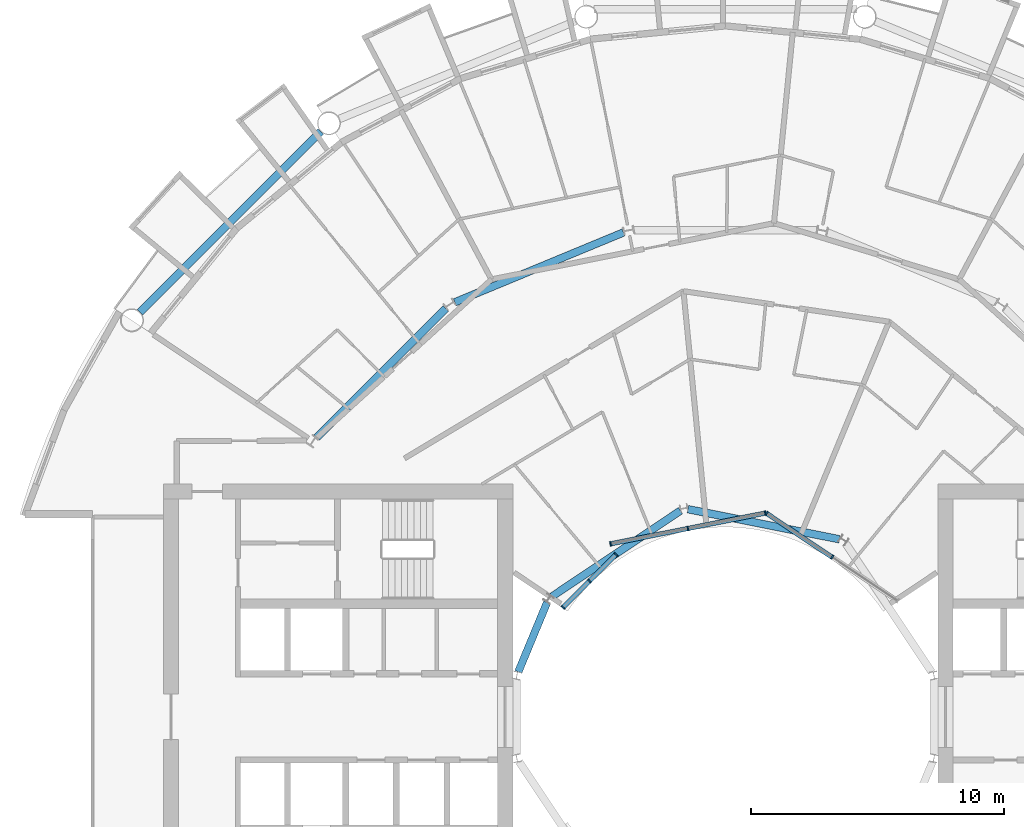
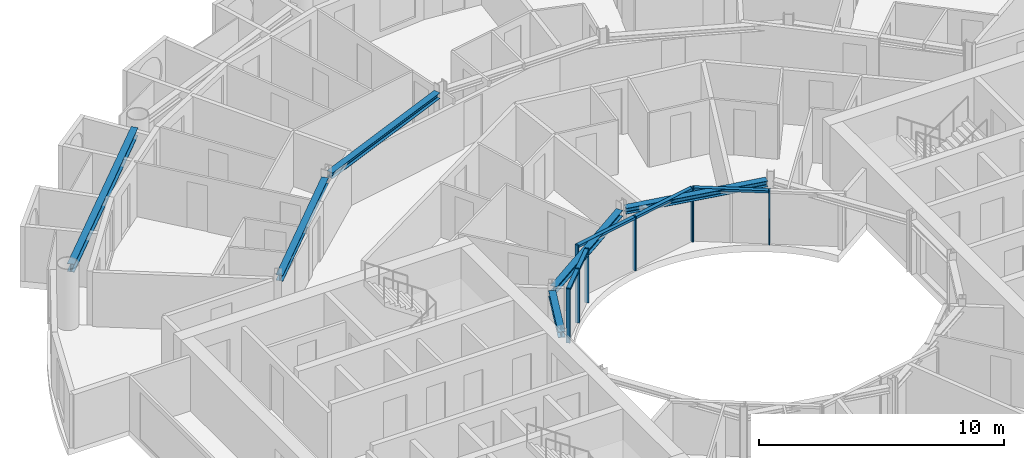
# One storey, part 8 of 28: 13 members, 6 beams, 3 elements without a shape of their own.
"""IFC4 building model written with IfcOpenShell, lengths in metres."""

import ifcopenshell
import ifcopenshell.guid

model = None  # the IFC model being written
_history = None  # IfcOwnerHistory: only IFC2X3 demands one
_inside = {}  # id of a spatial element -> (the spatial element, [elements in it])
_under = {}  # id of a project, library or spatial element -> (it, [spatial elements below it])
_declared = {}  # id of a project -> (the project, [libraries it declares])
_typed = {}  # id of a type object -> (the type object, [elements of that type])
_made_of = {}  # id of a material, layer set ... -> (it, [elements and type objects made of it])


def new_model(schema):
    """Start an empty IFC model of exactly this schema.

    Asked for "IFC4X3", IfcOpenShell would pick the latest addendum, in which some entities
    have other attributes; the version numbers below select the first issue.
    IFC2X3 requires an IfcOwnerHistory on every rooted entity: one is made here for all.
    """
    global model, _history
    if schema == "IFC4X3":
        model = ifcopenshell.file(schema_version=(4, 3, 0, 0))
    else:
        model = ifcopenshell.file(schema=schema)
    _inside.clear()
    _under.clear()
    _declared.clear()
    _typed.clear()
    _made_of.clear()
    _history = None
    if model.schema == "IFC2X3":
        org = make("IfcOrganization", Name="unknown")
        user = make(
            "IfcPersonAndOrganization",
            ThePerson=make("IfcPerson", FamilyName="unknown"),
            TheOrganization=org,
        )
        app = make(
            "IfcApplication",
            ApplicationDeveloper=org,
            Version="unknown",
            ApplicationFullName="unknown",
            ApplicationIdentifier="unknown",
        )
        _history = make(
            "IfcOwnerHistory",
            OwningUser=user,
            OwningApplication=app,
            ChangeAction="ADDED",
            CreationDate=0,
        )
    return model


def make(cls, **values):
    """One entity of the class cls with the attributes given. An attribute that is None is left unset."""
    return model.create_entity(
        cls, **{name: value for name, value in values.items() if value is not None}
    )


def rooted(cls, **values):
    """An entity with a GlobalId (a new one), such as an element, a storey or a relation."""
    return make(cls, GlobalId=ifcopenshell.guid.new(), OwnerHistory=_history, **values)


def si_unit(unit_type, name, prefix=None):
    """IfcSIUnit, for example si_unit("LENGTHUNIT", "METRE", prefix="MILLI")."""
    return make("IfcSIUnit", UnitType=unit_type, Prefix=prefix, Name=name)


def assignment(units):
    """IfcUnitAssignment: the units of a project."""
    return None if units is None else make("IfcUnitAssignment", Units=units)


def point(xyz):
    """IfcCartesianPoint."""
    return None if xyz is None else make("IfcCartesianPoint", Coordinates=xyz)


def direction(xyz):
    """IfcDirection."""
    return None if xyz is None else make("IfcDirection", DirectionRatios=xyz)


def frame(location, z_axis=None, x_axis=None):
    """IfcAxis2Placement3D, a coordinate frame: its origin and axes. An axis left out is left unset."""
    return make(
        "IfcAxis2Placement3D",
        Location=point(location),
        Axis=direction(z_axis),
        RefDirection=direction(x_axis),
    )


def frame_2d(location, x_axis=None):
    """IfcAxis2Placement2D, a coordinate frame in the plane: its origin and x axis."""
    return make(
        "IfcAxis2Placement2D", Location=point(location), RefDirection=direction(x_axis)
    )


def origin():
    """The frame at (0, 0, 0) with its axes left unset."""
    return frame((0.0, 0.0, 0.0))


def origin_2d():
    """The frame at (0, 0) in the plane with its x axis left unset."""
    return frame_2d((0.0, 0.0))


def place(relative_to, where):
    """IfcLocalPlacement: puts the frame where relative to a parent placement (None: the world)."""
    return make(
        "IfcLocalPlacement", PlacementRelTo=relative_to, RelativePlacement=where
    )


def context(
    kind, dimensions, precision=None, world=None, true_north=None, identifier=None
):
    """IfcGeometricRepresentationContext, for example the 3D "Model" context."""
    return make(
        "IfcGeometricRepresentationContext",
        ContextIdentifier=identifier,
        ContextType=kind,
        CoordinateSpaceDimension=dimensions,
        Precision=precision,
        WorldCoordinateSystem=world,
        TrueNorth=true_north,
    )


def subcontext(parent, identifier, kind, view, scale=None):
    """IfcGeometricRepresentationSubContext, for example "Body" below "Model"."""
    return make(
        "IfcGeometricRepresentationSubContext",
        ContextIdentifier=identifier,
        ContextType=kind,
        ParentContext=parent,
        TargetScale=scale,
        TargetView=view,
    )


def project(units=None, contexts=None):
    """IfcProject with its units and contexts."""
    return rooted(
        "IfcProject",
        Name="project",
        RepresentationContexts=contexts,
        UnitsInContext=assignment(units),
    )


def spatial(cls, under=None, at=None, **own):
    """A site, building, storey or space (cls), placed at a placement, below another one or the project."""
    s = rooted(cls, ObjectPlacement=at, **own)
    if under is not None:
        _under.setdefault(under.id(), (under, []))[1].append(s)
    return s


def profile(cls, at=None, kind="AREA", **sizes):
    """A parametric profile (cls). Its sizes go by their IFC names, for example OverallWidth=200.0."""
    return make(cls, ProfileType=kind, Position=at, **sizes)


def rectangle(**sizes):
    """IfcRectangleProfileDef."""
    return profile("IfcRectangleProfileDef", **sizes)


def i_section(**sizes):
    """IfcIShapeProfileDef."""
    return profile("IfcIShapeProfileDef", **sizes)


def extrude(swept, where, along, depth):
    """IfcExtrudedAreaSolid: the profile swept, set in the frame where, extruded along a direction by depth."""
    return make(
        "IfcExtrudedAreaSolid",
        SweptArea=swept,
        Position=where,
        ExtrudedDirection=direction(along),
        Depth=depth,
    )


def shape(context_of_items, identifier, shape_type, items):
    """IfcShapeRepresentation: the items that make up one representation, for example the "Body"."""
    return make(
        "IfcShapeRepresentation",
        ContextOfItems=context_of_items,
        RepresentationIdentifier=identifier,
        RepresentationType=shape_type,
        Items=items,
    )


def material(Name=None, Category=None):
    """IfcMaterial."""
    return make("IfcMaterial", Name=Name, Category=Category)


def layer(
    of_material, thickness, ventilated=None, Name=None, Category=None, Priority=None
):
    """IfcMaterialLayer: one layer of a wall or slab, of a material (None: an air gap)."""
    return make(
        "IfcMaterialLayer",
        Material=of_material,
        LayerThickness=thickness,
        IsVentilated=ventilated,
        Name=Name,
        Category=Category,
        Priority=Priority,
    )


def layer_set(layers, Name=None):
    """IfcMaterialLayerSet."""
    return make("IfcMaterialLayerSet", MaterialLayers=layers, LayerSetName=Name)


def material_profile(
    of_material, cross_section, Name=None, Category=None, Priority=None
):
    """IfcMaterialProfile: a cross section and its material."""
    return make(
        "IfcMaterialProfile",
        Name=Name,
        Material=of_material,
        Profile=cross_section,
        Priority=Priority,
        Category=Category,
    )


def profile_set(profiles, Name=None, composite=None):
    """IfcMaterialProfileSet."""
    return make(
        "IfcMaterialProfileSet",
        Name=Name,
        MaterialProfiles=profiles,
        CompositeProfile=composite,
    )


def made_of(thing, what):
    """Note that an element or type object is made of a material, layer set ...; save() writes the relation."""
    if what is not None:
        _made_of.setdefault(what.id(), (what, []))[1].append(thing)
    return thing


def type_object(cls, material=None, **own):
    """A type object (cls), such as IfcWallType, which elements share."""
    return made_of(rooted(cls, **own), material)


def element(
    cls,
    number,
    at=None,
    inside=None,
    cuts=None,
    type_object=None,
    material=None,
    context=None,
    identifier="Body",
    shape_type=None,
    held_by="IfcProductDefinitionShape",
    body=None,
    shapes=None,
    **own,
):
    """One element of the class cls, such as IfcWall. Its Tag is "e" and its number.

    at: its placement. inside: the storey or other place that contains it. cuts: it is an
    opening in that element (IfcRelVoidsElement). A single representation is given by context,
    identifier, shape_type and body (its items); several are given by shapes. held_by: the class
    of the entity that holds the representations. save() writes the other relations.
    """
    e = rooted(cls, Tag="e%d" % number, ObjectPlacement=at, **own)
    if body is not None:
        shapes = [shape(context, identifier, shape_type, body)]
    if shapes is not None:
        e.Representation = make(held_by, Representations=shapes)
    if inside is not None:
        _inside.setdefault(inside.id(), (inside, []))[1].append(e)
    if cuts is not None:
        rooted(
            "IfcRelVoidsElement", RelatingBuildingElement=cuts, RelatedOpeningElement=e
        )
    if type_object is not None:
        _typed.setdefault(type_object.id(), (type_object, []))[1].append(e)
    return made_of(e, material)


def aggregate(whole, parts):
    """IfcRelAggregates: a whole, such as a stair, and the parts it consists of."""
    return rooted("IfcRelAggregates", RelatingObject=whole, RelatedObjects=parts)


def save(model, path):
    """Write the relations noted so far, then the file.

    IfcRelAggregates (storeys below a building ...), IfcRelContainedInSpatialStructure (elements
    in a storey), IfcRelDefinesByType, IfcRelAssociatesMaterial and IfcRelDeclares: one each for
    every whole, place, type object, material and project.
    """
    for whole, parts in _under.values():
        aggregate(whole, parts)
    for where, things in _inside.values():
        rooted(
            "IfcRelContainedInSpatialStructure",
            RelatedElements=things,
            RelatingStructure=where,
        )
    for kind, things in _typed.values():
        rooted("IfcRelDefinesByType", RelatedObjects=things, RelatingType=kind)
    for what, things in _made_of.values():
        rooted("IfcRelAssociatesMaterial", RelatedObjects=things, RelatingMaterial=what)
    for by, libraries in _declared.values():
        rooted("IfcRelDeclares", RelatingContext=by, RelatedDefinitions=libraries)
    model.write(path)


model = new_model("IFC4")

# Units and contexts
model_context = context("Model", 3, precision=1e-05, world=origin(), true_north=direction((0.0, 1.0)))
body_context = subcontext(model_context, "Body", "Model", "MODEL_VIEW")
ifc_project = project(units=[si_unit("LENGTHUNIT", "METRE"), si_unit("AREAUNIT", "SQUARE_METRE"), si_unit("VOLUMEUNIT", "CUBIC_METRE"), si_unit("PLANEANGLEUNIT", "RADIAN"), si_unit("MASSUNIT", "GRAM", prefix="KILO")], contexts=[model_context])

# Site, building, storey
site_placement = place(None, origin())
site = spatial("IfcSite", under=ifc_project, at=site_placement, CompositionType="ELEMENT")
building_placement = place(site_placement, origin())
building = spatial("IfcBuilding", under=site, at=building_placement, Name="Maasbend Ring Residences", CompositionType="ELEMENT")
storey_placement = place(building_placement, frame((0.0, 0.0, 129.949951171875)))
storey = spatial("IfcBuildingStorey", under=building, at=storey_placement, Name="L37", CompositionType="ELEMENT", Elevation=129.949951171875)

# Curtain wall, members
ifc_material_1 = material(Name="Aluminium and clear glass", Category="aluminium")
ifc_layer = layer(ifc_material_1, 0.179931640625)
ifc_layer_set = layer_set([ifc_layer], Name="CW-W")
curtain_wall_type = type_object("IfcCurtainWallType", Name="CW-W", PredefinedType="NOTDEFINED", material=ifc_layer_set)
curtain_wall_1_placement = place(storey_placement, origin())
curtain_wall_1 = element("IfcCurtainWall", 1, at=curtain_wall_1_placement, inside=storey, type_object=curtain_wall_type, Name="Well curtain wall N1", PredefinedType="NOTDEFINED")
ifc_material_2 = material(Name="Aluminium 6063-T6", Category="aluminium")
ifc_material_profile_1 = material_profile(ifc_material_2, rectangle(XDim=0.179931640625, YDim=0.06005859375, at=origin_2d()), Name="AL 180x60")
ifc_profile_set_1 = profile_set([ifc_material_profile_1], Name="Aluminium 6063-T6")
member_type_1 = type_object("IfcMemberType", Name="CWM-W", PredefinedType="MULLION", material=ifc_profile_set_1)
member_1_placement = place(storey_placement, frame((4.216796875, 6.310791015625, 0.0), z_axis=(0.0, 0.0, 1.0), x_axis=(-0.55557023302, -0.831469612303, 0.0)))
member_1 = element("IfcMember", 2, at=member_1_placement, type_object=member_type_1, Name="Mullion well face", PredefinedType="MULLION", context=body_context, shape_type="SweptSolid", body=[
    extrude(rectangle(XDim=0.179931640625, YDim=0.06005859375, at=origin_2d()), origin(), (0.0, 0.0, 1.0), 2.699951171875),
])
member_2_placement = place(storey_placement, frame((1.627685546875, 8.040771484375, 0.0), z_axis=(0.0, 0.0, 1.0), x_axis=(-0.55557023302, -0.831469612303, 0.0)))
member_2 = element("IfcMember", 3, at=member_2_placement, type_object=member_type_1, Name="Mullion well face", PredefinedType="MULLION", context=body_context, shape_type="SweptSolid", body=[
    extrude(rectangle(XDim=0.179931640625, YDim=0.06005859375, at=origin_2d()), origin(), (0.0, 0.0, 1.0), 2.699951171875),
])

curtain_wall_2_placement = place(storey_placement, origin())
curtain_wall_2 = element("IfcCurtainWall", 4, at=curtain_wall_2_placement, inside=storey, type_object=curtain_wall_type, Name="Well curtain wall N2", PredefinedType="NOTDEFINED")
member_3_placement = place(storey_placement, frame((1.5732421875, 8.0517578125, 0.0), z_axis=(0.0, 0.0, 1.0), x_axis=(0.195090322016, -0.980785280403, 0.0)))
member_3 = element("IfcMember", 5, at=member_3_placement, type_object=member_type_1, Name="Mullion well face", PredefinedType="MULLION", context=body_context, shape_type="SweptSolid", body=[
    extrude(rectangle(XDim=0.179931640625, YDim=0.06005859375, at=origin_2d()), origin(), (0.0, 0.0, 1.0), 2.699951171875),
])
member_4_placement = place(storey_placement, frame((-1.480712890625, 7.444091796875, 0.0), z_axis=(0.0, 0.0, 1.0), x_axis=(0.195090322016, -0.980785280403, 0.0)))
member_4 = element("IfcMember", 6, at=member_4_placement, type_object=member_type_1, Name="Mullion well face", PredefinedType="MULLION", context=body_context, shape_type="SweptSolid", body=[
    extrude(rectangle(XDim=0.179931640625, YDim=0.06005859375, at=origin_2d()), origin(), (0.0, 0.0, 1.0), 2.699951171875),
])
member_5_placement = place(storey_placement, frame((-4.53466796875, 6.836669921875, 0.0), z_axis=(0.0, 0.0, 1.0), x_axis=(0.195090322016, -0.980785280403, 0.0)))
member_5 = element("IfcMember", 7, at=member_5_placement, type_object=member_type_1, Name="Mullion well face", PredefinedType="MULLION", context=body_context, shape_type="SweptSolid", body=[
    extrude(rectangle(XDim=0.179931640625, YDim=0.06005859375, at=origin_2d()), origin(), (0.0, 0.0, 1.0), 2.699951171875),
])

curtain_wall_3_placement = place(storey_placement, origin())
curtain_wall_3 = element("IfcCurtainWall", 8, at=curtain_wall_3_placement, inside=storey, type_object=curtain_wall_type, Name="Well curtain wall N3", PredefinedType="NOTDEFINED")
member_6_placement = place(storey_placement, frame((-4.320556640625, 6.413330078125, 0.0), z_axis=(0.0, 0.0, 1.0), x_axis=(0.707106781187, -0.707106781187, 0.0)))
member_6 = element("IfcMember", 9, at=member_6_placement, type_object=member_type_1, Name="Mullion well face", PredefinedType="MULLION", context=body_context, shape_type="SweptSolid", body=[
    extrude(rectangle(XDim=0.179931640625, YDim=0.06005859375, at=origin_2d()), origin(), (0.0, 0.0, 1.0), 2.699951171875),
])
member_7_placement = place(storey_placement, frame((-5.366943359375, 5.366943359375, 0.0), z_axis=(0.0, 0.0, 1.0), x_axis=(0.707106781187, -0.707106781187, 0.0)))
member_7 = element("IfcMember", 10, at=member_7_placement, type_object=member_type_1, Name="Mullion well face", PredefinedType="MULLION", context=body_context, shape_type="SweptSolid", body=[
    extrude(rectangle(XDim=0.179931640625, YDim=0.06005859375, at=origin_2d()), origin(), (0.0, 0.0, 1.0), 2.699951171875),
])
member_8_placement = place(storey_placement, frame((-6.413330078125, 4.320556640625, 0.0), z_axis=(0.0, 0.0, 1.0), x_axis=(0.707106781187, -0.707106781187, 0.0)))
member_8 = element("IfcMember", 11, at=member_8_placement, type_object=member_type_1, Name="Mullion well face", PredefinedType="MULLION", context=body_context, shape_type="SweptSolid", body=[
    extrude(rectangle(XDim=0.179931640625, YDim=0.06005859375, at=origin_2d()), origin(), (0.0, 0.0, 1.0), 2.699951171875),
])

# Member
ifc_material_3 = material(Name="Aluminium 6063-T6", Category="aluminium")
ifc_material_profile_2 = material_profile(ifc_material_3, rectangle(XDim=0.179931640625, YDim=0.1201171875, at=origin_2d()), Name="AL 180x120")
ifc_profile_set_2 = profile_set([ifc_material_profile_2], Name="Aluminium 6063-T6")
member_type_2 = type_object("IfcMemberType", Name="CWT-W", PredefinedType="USERDEFINED", material=ifc_profile_set_2)
member_9_placement = place(storey_placement, frame((4.19189453125, 6.32763671875, 2.64013671875), z_axis=(-0.831496422459, 0.555530106689, 0.0), x_axis=(-0.555530106689, -0.831496422459, 0.0)))
member_9 = element("IfcMember", 12, at=member_9_placement, type_object=member_type_2, Name="Transom well face", ObjectType="TRANSOM", PredefinedType="USERDEFINED", context=body_context, shape_type="SweptSolid", body=[
    extrude(rectangle(XDim=0.179931640625, YDim=0.1201171875, at=origin_2d()), origin(), (0.0, 0.0, 1.0), 3.053955078125),
])

aggregate(curtain_wall_1, [member_1, member_2, member_9])

member_10_placement = place(storey_placement, frame((1.5439453125, 8.0458984375, 2.64013671875), z_axis=(-0.980776956105, -0.195132166424, 0.0), x_axis=(0.195132166424, -0.980776956105, 0.0)))
member_10 = element("IfcMember", 13, at=member_10_placement, type_object=member_type_2, Name="Transom well face", ObjectType="TRANSOM", PredefinedType="USERDEFINED", context=body_context, shape_type="SweptSolid", body=[
    extrude(rectangle(XDim=0.179931640625, YDim=0.1201171875, at=origin_2d()), origin(), (0.0, 0.0, 1.0), 3.053955078125),
])

member_11_placement = place(storey_placement, frame((-1.51025390625, 7.438232421875, 2.64013671875), z_axis=(-0.980789210404, -0.19507056353, 0.0), x_axis=(0.19507056353, -0.980789210404, 0.0)))
member_11 = element("IfcMember", 14, at=member_11_placement, type_object=member_type_2, Name="Transom well face", ObjectType="TRANSOM", PredefinedType="USERDEFINED", context=body_context, shape_type="SweptSolid", body=[
    extrude(rectangle(XDim=0.179931640625, YDim=0.1201171875, at=origin_2d()), origin(), (0.0, 0.0, 1.0), 3.0537109375),
])

aggregate(curtain_wall_2, [member_3, member_4, member_5, member_10, member_11])

member_12_placement = place(storey_placement, frame((-4.341796875, 6.39208984375, 2.64013671875), z_axis=(-0.707106781187, -0.707106781187, 0.0), x_axis=(0.707106781187, -0.707106781187, 0.0)))
member_12 = element("IfcMember", 15, at=member_12_placement, type_object=member_type_2, Name="Transom well face", ObjectType="TRANSOM", PredefinedType="USERDEFINED", context=body_context, shape_type="SweptSolid", body=[
    extrude(rectangle(XDim=0.179931640625, YDim=0.1201171875, at=origin_2d()), origin(), (0.0, 0.0, 1.0), 1.419677734375),
])

member_13_placement = place(storey_placement, frame((-5.38818359375, 5.345703125, 2.64013671875), z_axis=(-0.707106781187, -0.707106781187, 0.0), x_axis=(0.707106781187, -0.707106781187, 0.0)))
member_13 = element("IfcMember", 16, at=member_13_placement, type_object=member_type_2, Name="Transom well face", ObjectType="TRANSOM", PredefinedType="USERDEFINED", context=body_context, shape_type="SweptSolid", body=[
    extrude(rectangle(XDim=0.179931640625, YDim=0.1201171875, at=origin_2d()), origin(), (0.0, 0.0, 1.0), 1.419677734375),
])

aggregate(curtain_wall_3, [member_6, member_7, member_8, member_12, member_13])

# Beams
ifc_material_4 = material(Name="Steel S355J2", Category="steel")
ifc_material_profile_3 = material_profile(ifc_material_4, i_section(OverallWidth=0.300048828125, OverallDepth=0.2900390625, WebThickness=0.008544921875, FlangeThickness=0.013916015625, FilletRadius=0.027099609375, at=origin_2d()), Name="HEA 300")
ifc_profile_set_3 = profile_set([ifc_material_profile_3], Name="Steel S355J2")
beam_type_1 = type_object("IfcBeamType", Name="Corridor ring beam HEA 300", PredefinedType="BEAM", material=ifc_profile_set_3)
for number, where, z_axis, x_axis, name in (
    (17, (-4.02734375, 19.13916015625, 2.554931640625), (-0.923877693919, -0.382687871089, 0.0), (0.382687871089, -0.923877693919, 0.0), "Corridor ring beam"),
    (18, (-11.044921875, 16.14111328125, 2.554931640625), (-0.707106781187, -0.707106781187, 0.0), (0.707106781187, -0.707106781187, 0.0), "Corridor ring beam"),
):
    element("IfcBeam", number, at=place(storey_placement, frame(where, z_axis=z_axis, x_axis=x_axis)), inside=storey, type_object=beam_type_1, Name=name, PredefinedType="BEAM", context=body_context, shape_type="SweptSolid", body=[
        extrude(i_section(OverallWidth=0.300048828125, OverallDepth=0.2900390625, WebThickness=0.008544921875, FlangeThickness=0.013916015625, FilletRadius=0.027099609375, at=origin_2d()), origin(), (0.0, 0.0, 1.0), 7.20703125),
    ])
ifc_material_5 = material(Name="Steel S355J2", Category="steel")
ifc_material_profile_4 = material_profile(ifc_material_5, i_section(OverallWidth=0.300048828125, OverallDepth=0.39990234375, WebThickness=0.013427734375, FlangeThickness=0.02392578125, FilletRadius=0.027099609375, at=origin_2d()), Name="HEB 400")
ifc_profile_set_4 = profile_set([ifc_material_profile_4], Name="Steel S355J2")
beam_type_2 = type_object("IfcBeamType", Name="Spandrel ring beam HEB 400", PredefinedType="SPANDREL", material=ifc_profile_set_4)
beam_1_placement = place(storey_placement, frame((-15.990234375, 23.124267578125, 2.5), z_axis=(-0.707106781187, -0.707106781187, 0.0), x_axis=(0.707106781187, -0.707106781187, 0.0)))
element("IfcBeam", 19, at=beam_1_placement, inside=storey, type_object=beam_type_2, Name="Spandrel ring beam", PredefinedType="SPANDREL", context=body_context, shape_type="SweptSolid", body=[
    extrude(i_section(OverallWidth=0.300048828125, OverallDepth=0.39990234375, WebThickness=0.013427734375, FlangeThickness=0.02392578125, FilletRadius=0.027099609375, at=origin_2d()), origin(), (0.0, 0.0, 1.0), 10.089111328125),
])
ifc_material_6 = material(Name="Steel S355J2", Category="steel")
ifc_material_profile_5 = material_profile(ifc_material_6, i_section(OverallWidth=0.300048828125, OverallDepth=0.2900390625, WebThickness=0.008544921875, FlangeThickness=0.013916015625, FilletRadius=0.027099609375, at=origin_2d()), Name="HEA 300")
ifc_profile_set_5 = profile_set([ifc_material_profile_5], Name="Steel S355J2")
beam_type_3 = type_object("IfcBeamType", Name="Well edge beam HEA 300", PredefinedType="BEAM", material=ifc_profile_set_5)
beam_2_placement = place(storey_placement, frame((4.507568359375, 7.01611328125, 2.554931640625), z_axis=(-0.980792381321, 0.195054619896, 0.0), x_axis=(-0.195054619896, -0.980792381321, 0.0)))
element("IfcBeam", 20, at=beam_2_placement, inside=storey, type_object=beam_type_3, Name="Well edge beam", PredefinedType="BEAM", context=body_context, shape_type="SweptSolid", body=[
    extrude(i_section(OverallWidth=0.300048828125, OverallDepth=0.2900390625, WebThickness=0.008544921875, FlangeThickness=0.013916015625, FilletRadius=0.027099609375, at=origin_2d()), origin(), (0.0, 0.0, 1.0), 6.104248046875),
])
beam_3_placement = place(storey_placement, frame((-1.773681640625, 8.1484375, 2.554931640625), z_axis=(-0.831477628137, -0.555558236289, 0.0), x_axis=(0.555558236289, -0.831477628137, 0.0)))
element("IfcBeam", 21, at=beam_3_placement, inside=storey, type_object=beam_type_3, Name="Well edge beam", PredefinedType="BEAM", context=body_context, shape_type="SweptSolid", body=[
    extrude(i_section(OverallWidth=0.300048828125, OverallDepth=0.2900390625, WebThickness=0.008544921875, FlangeThickness=0.013916015625, FilletRadius=0.027099609375, at=origin_2d()), origin(), (0.0, 0.0, 1.0), 6.1044921875),
])
beam_4_placement = place(storey_placement, frame((-7.042724609375, 4.525390625, 2.554931640625), z_axis=(-0.382765370874, -0.923845588212, 0.0), x_axis=(0.923845588212, -0.382765370874, 0.0)))
element("IfcBeam", 22, at=beam_4_placement, inside=storey, type_object=beam_type_3, Name="Well edge beam", PredefinedType="BEAM", context=body_context, shape_type="SweptSolid", body=[
    extrude(i_section(OverallWidth=0.300048828125, OverallDepth=0.2900390625, WebThickness=0.008544921875, FlangeThickness=0.013916015625, FilletRadius=0.027099609375, at=origin_2d()), origin(), (0.0, 0.0, 1.0), 2.9716796875),
])

save(model, "model.ifc")
